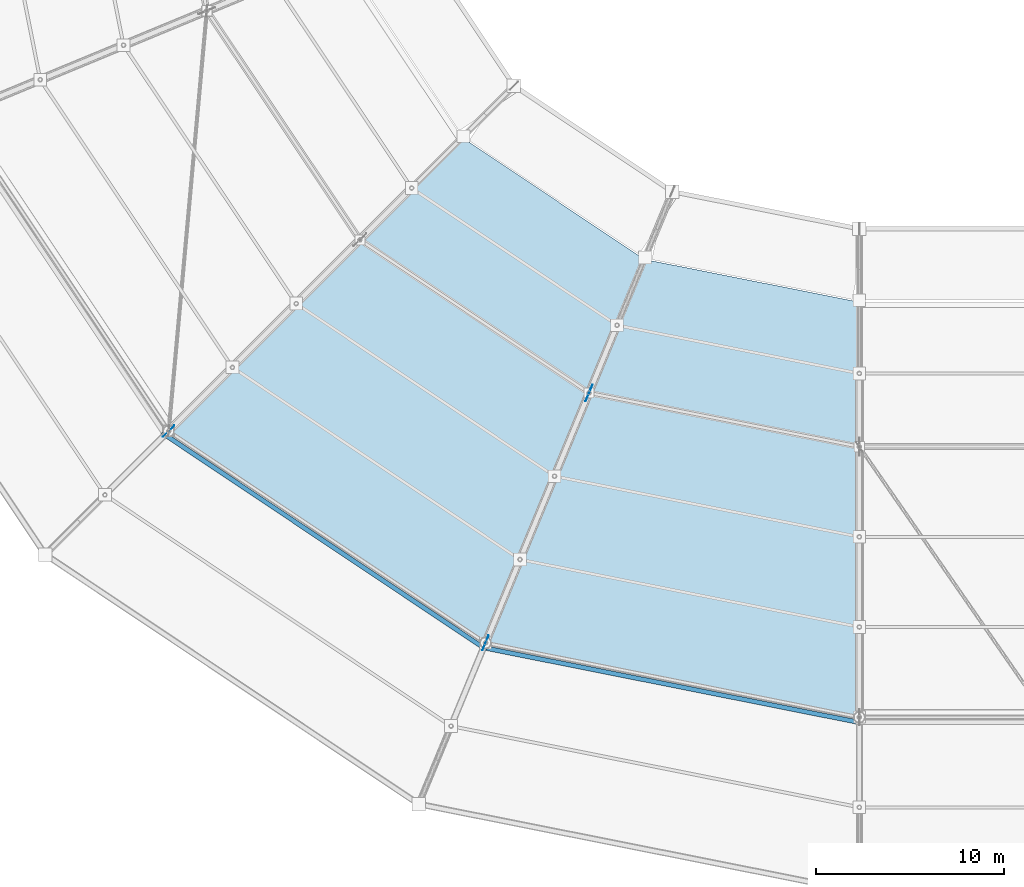
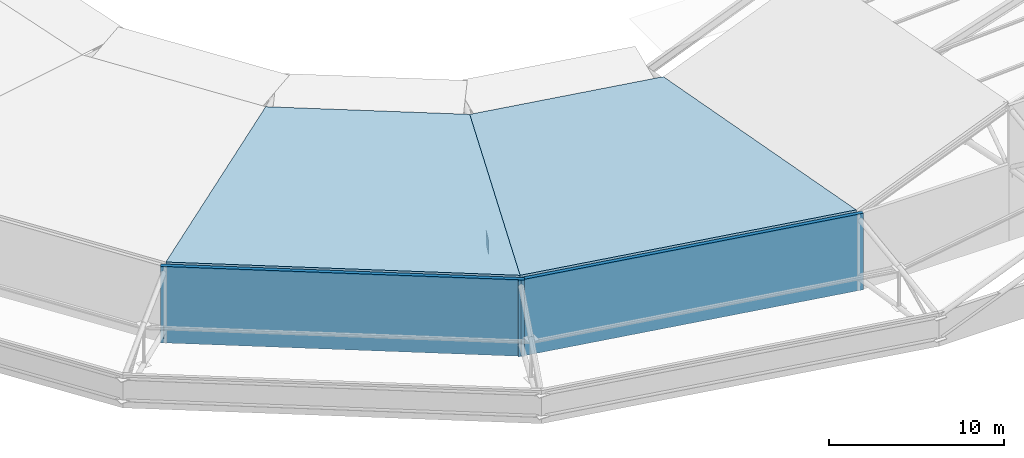
# One storey, part 103 of 146: 5 plates, 2 slabs.
"""IFC4 building model written with IfcOpenShell, lengths in metres."""

from ifc_helpers import new_model, si_unit, direction, frame, origin, origin_2d, place, context, subcontext, project, spatial, polyline, rectangle, outline, extrude, material, layer, layer_set, type_object, element, save


model = new_model("IFC4")

# Units and contexts
model_context = context("Model", 3, precision=1e-05, world=origin(), true_north=direction((0.0, 1.0)))
body_context = subcontext(model_context, "Body", "Model", "MODEL_VIEW")
ifc_project = project(units=[si_unit("LENGTHUNIT", "METRE"), si_unit("AREAUNIT", "SQUARE_METRE"), si_unit("VOLUMEUNIT", "CUBIC_METRE"), si_unit("PLANEANGLEUNIT", "RADIAN"), si_unit("MASSUNIT", "GRAM", prefix="KILO")], contexts=[model_context])

# Site, building, storey
site_placement = place(None, origin())
site = spatial("IfcSite", under=ifc_project, at=site_placement, CompositionType="ELEMENT")
building_placement = place(site_placement, origin())
building = spatial("IfcBuilding", under=site, at=building_placement, Name="Candeia Ridge Stadium", CompositionType="ELEMENT")
storey_placement = place(building_placement, frame((0.0, 0.0, 31.800048828125)))
storey = spatial("IfcBuildingStorey", under=building, at=storey_placement, Name="RF", CompositionType="ELEMENT", Elevation=31.800048828125)

# Plates
ifc_material_1 = material(Name="Aluminium Anodized Warm Bronze", Category="aluminium")
ifc_layer_1 = layer(ifc_material_1, 0.239990234375, Name="Aluminium Anodized Warm Bronze", Category="aluminium")
ifc_layer_set_1 = layer_set([ifc_layer_1], Name="Aluminium Anodized Warm Bronze")
plate_type_1 = type_object("IfcPlateType", Name="Crown Perforated Bronze Acoustic Screen", PredefinedType="SHEET", material=ifc_layer_set_1)
for number, where, z_axis, x_axis, name in (
    (1, (42.512939453125, 28.365966796875, -0.3251953125), (0.0, 0.0, 1.0), (0.831469627148, -0.555570210802, 0.0), "Crown perforated bronze acoustic screen RF bay 17"),
    (2, (60.99658203125, 20.709716796875, -0.3251953125), (0.0, 0.0, 1.0), (0.980785281074, -0.195090318644, 0.0), "Crown perforated bronze acoustic screen RF bay 18"),
):
    element("IfcPlate", number, at=place(storey_placement, frame(where, z_axis=z_axis, x_axis=x_axis)), inside=storey, type_object=plate_type_1, Name=name, PredefinedType="SHEET", context=body_context, shape_type="SweptSolid", body=[
        extrude(rectangle(XDim=20.798583984375, YDim=0.239990234375, at=origin_2d()), origin(), (0.0, 0.0, 1.0), 5.330078125),
    ])
ifc_material_2 = material(Name="Steel ASTM A572 Grade 50", Category="steel")
ifc_layer_2 = layer(ifc_material_2, 0.031982421875, Name="Steel ASTM A572 Grade 50", Category="steel")
ifc_layer_set_2 = layer_set([ifc_layer_2], Name="Steel ASTM A572 Grade 50")
plate_type_2 = type_object("IfcPlateType", Name="Roof Truss Inner Support Node Gusset ND-1", PredefinedType="USERDEFINED", material=ifc_layer_set_2)
plate_placement = place(storey_placement, frame((56.611083984375, 36.26220703125, -3.13916015625), z_axis=(0.0, 0.0, 1.0), x_axis=(-0.382683433413, -0.923879532077, 0.0)))
element("IfcPlate", 3, at=plate_placement, inside=storey, type_object=plate_type_2, Name="Roof truss inner support node ND-1 bay 18", ObjectType="GUSSET PLATE", PredefinedType="USERDEFINED", context=body_context, shape_type="SweptSolid", body=[
    extrude(rectangle(XDim=0.949951171875, YDim=0.031982421875, at=origin_2d()), origin(), (0.0, 0.0, 1.0), 0.949951171875),
])
ifc_layer_3 = layer(ifc_material_2, 0.028076171875, Name="Steel ASTM A572 Grade 50", Category="steel")
ifc_layer_set_3 = layer_set([ifc_layer_3], Name="Steel ASTM A572 Grade 50")
plate_type_3 = type_object("IfcPlateType", Name="Roof Truss Outer Tie Node Gusset ND-2", PredefinedType="USERDEFINED", material=ifc_layer_set_3)
for number, where, z_axis, x_axis, name in (
    (4, (34.23046875, 34.23046875, -0.025146484375), (0.0, 0.0, 1.0), (-0.707106781187, -0.707106781187, 0.0), "Roof truss outer support node ND-2 bay 17"),
    (5, (51.100341796875, 22.958251953125, -0.025146484375), (0.0, 0.0, 1.0), (-0.382683433413, -0.923879532077, 0.0), "Roof truss outer support node ND-2 bay 18"),
):
    element("IfcPlate", number, at=place(storey_placement, frame(where, z_axis=z_axis, x_axis=x_axis)), inside=storey, type_object=plate_type_3, Name=name, ObjectType="GUSSET PLATE", PredefinedType="USERDEFINED", context=body_context, shape_type="SweptSolid", body=[
        extrude(rectangle(XDim=0.85009765625, YDim=0.028076171875, at=origin_2d()), origin(), (0.0, 0.0, 1.0), 0.85009765625),
    ])

# Slabs
ifc_layer_4 = layer(ifc_material_2, 0.179931640625, Name="Steel ASTM A572 Grade 50", Category="steel")
ifc_layer_set_4 = layer_set([ifc_layer_4], Name="Steel ASTM A572 Grade 50")
slab_type = type_object("IfcSlabType", Name="Saddle Roof Structural Deck 180", PredefinedType="ROOF", material=ifc_layer_set_4)
slab_1_placement = place(storey_placement, frame((49.85791015625, 49.85791015625, 0.911865234375), z_axis=(0.102962524473, 0.154087355623, 0.982677874683), x_axis=(0.831451232069, -0.555597739994, 2.308707e-06)))
element("IfcSlab", 6, at=slab_1_placement, inside=storey, type_object=slab_type, Name="Stadium saddle roof main deck bay 17", PredefinedType="ROOF", context=body_context, shape_type="SweptSolid", body=[
    extrude(outline(polyline([(0.0, 0.0), (11.666586999361916, 0.0), (15.96303241313474, -21.97776898157144), (-4.2952503665443444, -21.978166695986005), (0.0, 0.0)])), origin(), (0.0, 0.0, -1.0), 0.179931640625),
])
slab_2_placement = place(storey_placement, frame((59.55810546875, 43.3759765625, 0.911865234375), z_axis=(0.036153116313, 0.181763338981, 0.98267748564), x_axis=(0.980786224132, -0.19508557751, 9.43866e-07)))
element("IfcSlab", 7, at=slab_2_placement, inside=storey, type_object=slab_type, Name="Stadium saddle roof main deck bay 18", PredefinedType="ROOF", context=body_context, shape_type="SweptSolid", body=[
    extrude(outline(polyline([(0.0, 0.0), (11.666043684987503, 4.440892098500626e-16), (15.961835756381939, -21.977641905484266), (-4.296263736213774, -21.977804497045955), (0.0, 0.0)])), origin(), (0.0, 0.0, -1.0), 0.179931640625),
])

save(model, "model.ifc")
